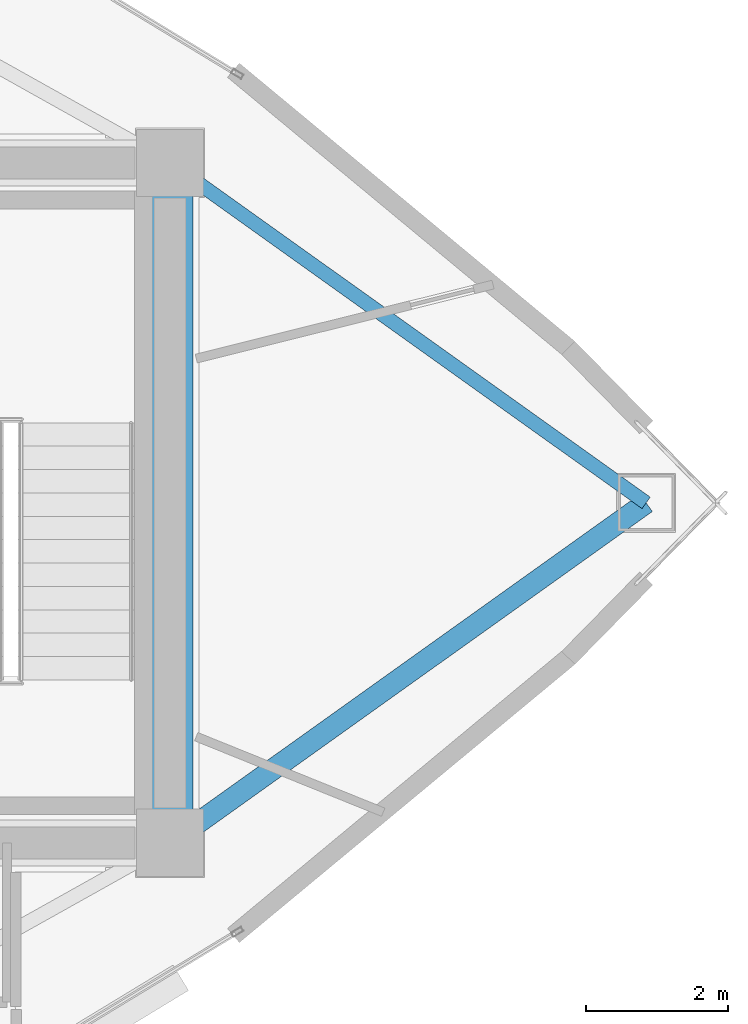
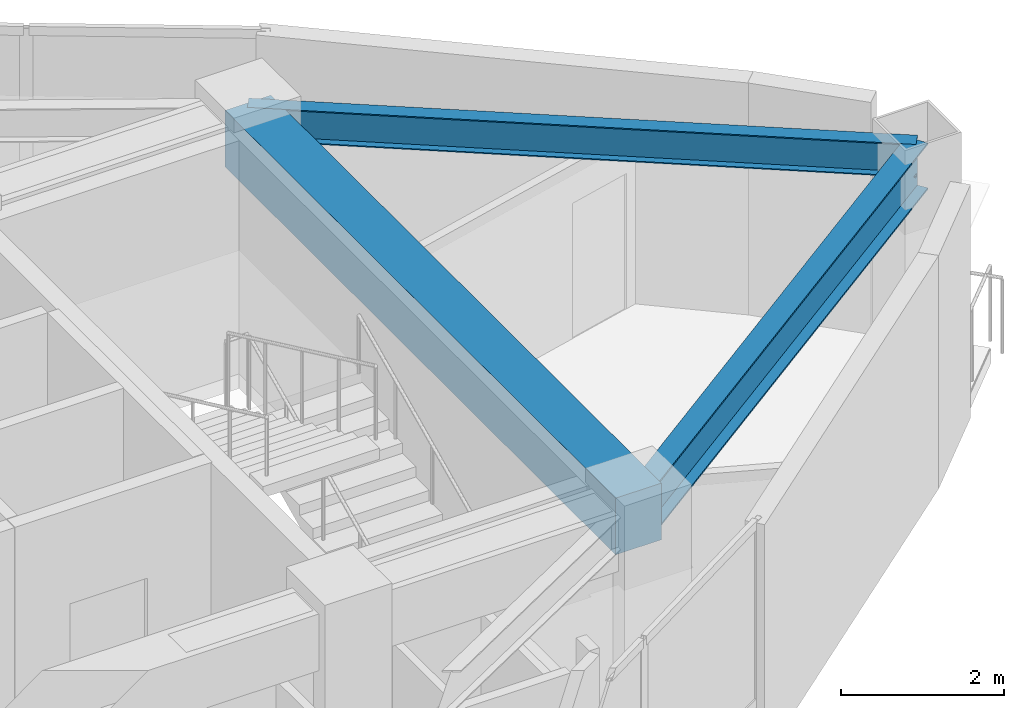
# One storey, part 6 of 15: 3 beams.
"""IFC4 building model written with IfcOpenShell, lengths in metres."""

from ifc_helpers import new_model, si_unit, direction, frame, origin, origin_2d, place, context, subcontext, project, spatial, rectangle, i_section, extrude, material, material_profile, profile_set, type_object, element, save


model = new_model("IFC4")

# Units and contexts
model_context = context("Model", 3, precision=1e-05, world=origin(), true_north=direction((0.0, 1.0)))
body_context = subcontext(model_context, "Body", "Model", "MODEL_VIEW")
ifc_project = project(units=[si_unit("LENGTHUNIT", "METRE"), si_unit("AREAUNIT", "SQUARE_METRE"), si_unit("VOLUMEUNIT", "CUBIC_METRE"), si_unit("PLANEANGLEUNIT", "RADIAN"), si_unit("MASSUNIT", "GRAM", prefix="KILO")], contexts=[model_context])

# Site, building, storey
site_placement = place(None, origin())
site = spatial("IfcSite", under=ifc_project, at=site_placement, CompositionType="ELEMENT")
building_placement = place(site_placement, origin())
building = spatial("IfcBuilding", under=site, at=building_placement, Name="Menara Vayukalpa", CompositionType="ELEMENT")
storey_placement = place(building_placement, frame((0.0, 0.0, 254.580078125)))
storey = spatial("IfcBuildingStorey", under=building, at=storey_placement, Name="L64", CompositionType="ELEMENT", Elevation=254.580078125)

# Beams
ifc_material_1 = material(Name="Concrete C60/75", Category="concrete")
ifc_material_profile_1 = material_profile(ifc_material_1, rectangle(XDim=0.64990234375, YDim=0.85009765625, at=origin_2d()), Name="RC 650x850")
ifc_profile_set_1 = profile_set([ifc_material_profile_1], Name="Concrete C60/75")
beam_type_1 = type_object("IfcBeamType", Name="BM-CB1", PredefinedType="BEAM", material=ifc_profile_set_1)
beam_1_placement = place(storey_placement, frame((33.39990234375, 17.199951171875, 3.074951171875), z_axis=(0.0, 1.0, 0.0), x_axis=(-1.0, 0.0, 0.0)))
element("IfcBeam", 1, at=beam_1_placement, inside=storey, type_object=beam_type_1, Name="L64 Core Tie Beam CBR8", PredefinedType="BEAM", context=body_context, shape_type="SweptSolid", body=[
    extrude(rectangle(XDim=0.64990234375, YDim=0.85009765625, at=origin_2d()), origin(), (0.0, 0.0, 1.0), 9.60009765625),
])
ifc_material_2 = material(Name="Steel S355", Category="steel")
ifc_material_profile_2 = material_profile(ifc_material_2, i_section(OverallWidth=0.300048828125, OverallDepth=0.699951171875, WebThickness=0.012939453125, FlangeThickness=0.02392578125, at=origin_2d()), Name="WF 700x300x13x24")
ifc_profile_set_2 = profile_set([ifc_material_profile_2], Name="Steel S355")
beam_type_2 = type_object("IfcBeamType", Name="BM-PG5", PredefinedType="BEAM", material=ifc_profile_set_2)
beam_2_placement = place(storey_placement, frame((33.603515625, 17.34521484375, 3.14990234375), z_axis=(0.813801429135, 0.581143040859, 0.0), x_axis=(-0.581143040859, 0.813801429135, 0.0)))
element("IfcBeam", 2, at=beam_2_placement, inside=storey, type_object=beam_type_2, Name="L64 Primary Radial Girder RG01", PredefinedType="BEAM", context=body_context, shape_type="SweptSolid", body=[
    extrude(i_section(OverallWidth=0.300048828125, OverallDepth=0.699951171875, WebThickness=0.012939453125, FlangeThickness=0.02392578125, at=origin_2d()), origin(), (0.0, 0.0, 1.0), 8.009765625),
])
ifc_material_3 = material(Name="Steel S355", Category="steel")
ifc_material_profile_3 = material_profile(ifc_material_3, i_section(OverallWidth=0.199951171875, OverallDepth=0.5, WebThickness=0.010009765625, FlangeThickness=0.01611328125, at=origin_2d()), Name="WF 500x200x10x16")
ifc_profile_set_3 = profile_set([ifc_material_profile_3], Name="Steel S355")
beam_type_3 = type_object("IfcBeamType", Name="BM-SP3", PredefinedType="SPANDREL", material=ifc_profile_set_3)
beam_3_placement = place(storey_placement, frame((40.121826171875, 22.0, 3.25), z_axis=(-0.813809355401, 0.581131941181, 0.0), x_axis=(-0.581131941181, -0.813809355401, 0.0)))
element("IfcBeam", 3, at=beam_3_placement, inside=storey, type_object=beam_type_3, Name="L64 Perimeter Spandrel Beam SP01", PredefinedType="SPANDREL", context=body_context, shape_type="SweptSolid", body=[
    extrude(i_section(OverallWidth=0.199951171875, OverallDepth=0.5, WebThickness=0.010009765625, FlangeThickness=0.01611328125, at=origin_2d()), origin(), (0.0, 0.0, 1.0), 8.259765625),
])

save(model, "model.ifc")
